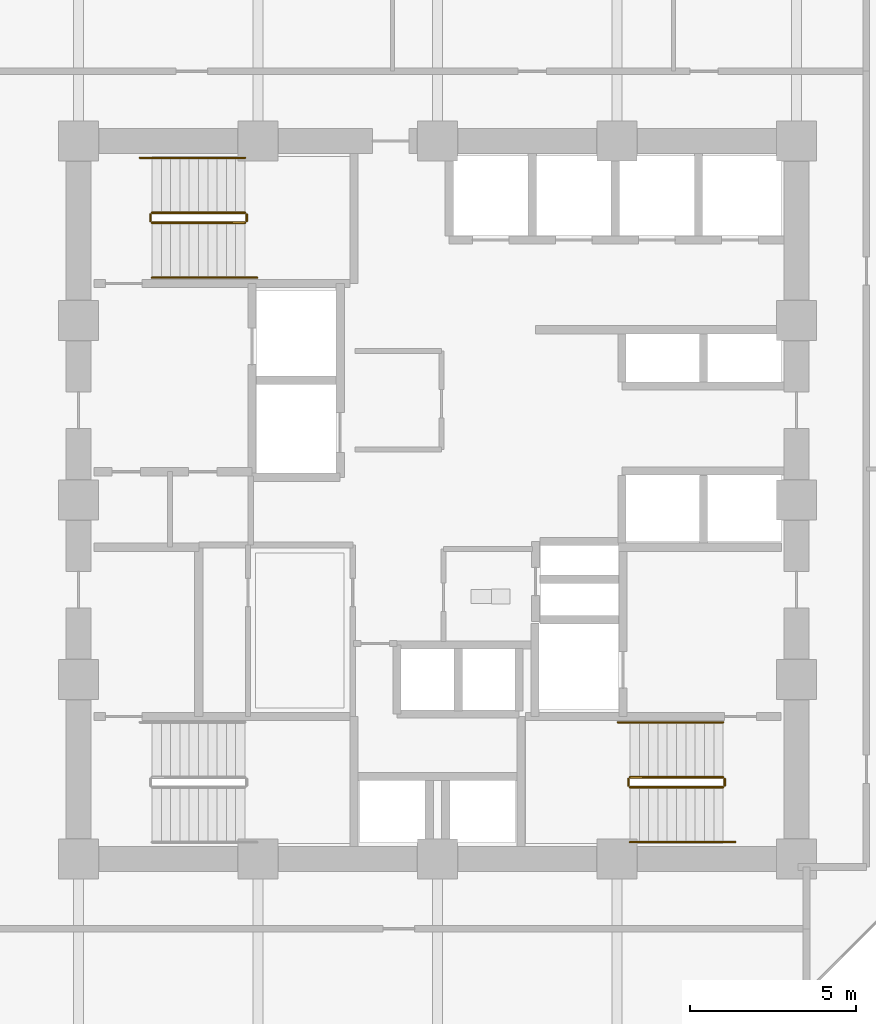
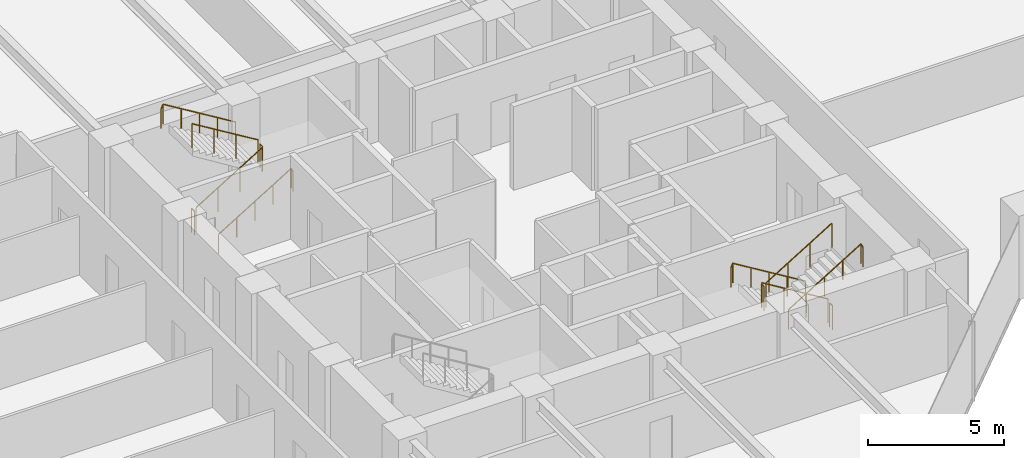
# One storey, part 24 of 25: 12 railings.
"""IFC4 building model written with IfcOpenShell, lengths in metres."""

from ifc_helpers import new_model, si_unit, direction, frame, origin, origin_2d, place, context, subcontext, project, spatial, circle, extrude, material, type_object, element, save


model = new_model("IFC4")

# Units and contexts
model_context = context("Model", 3, precision=1e-05, world=origin(), true_north=direction((0.0, 1.0)))
body_context = subcontext(model_context, "Body", "Model", "MODEL_VIEW")
ifc_project = project(units=[si_unit("LENGTHUNIT", "METRE"), si_unit("AREAUNIT", "SQUARE_METRE"), si_unit("VOLUMEUNIT", "CUBIC_METRE"), si_unit("PLANEANGLEUNIT", "RADIAN"), si_unit("MASSUNIT", "GRAM", prefix="KILO")], contexts=[model_context])

# Site, building, storey
site_placement = place(None, origin())
site = spatial("IfcSite", under=ifc_project, at=site_placement, CompositionType="ELEMENT")
building_placement = place(site_placement, origin())
building = spatial("IfcBuilding", under=site, at=building_placement, Name="Surkhivell Harbour Commons", CompositionType="ELEMENT")
storey_placement = place(building_placement, frame((0.0, 0.0, 37.5)))
storey = spatial("IfcBuildingStorey", under=building, at=storey_placement, Name="L09", CompositionType="ELEMENT", Elevation=37.5)

# Railings
ifc_material_1 = material(Name="Galvanised and painted steel S355 guard rail", Category="steel")
railing_type_1 = type_object("IfcRailingType", Name="RAL-ST-GRD1100", PredefinedType="GUARDRAIL", material=ifc_material_1)
railing_1_placement = place(storey_placement, frame((-8.590087890625, 8.340087890625, 0.17041015625)))
element("IfcRailing", 1, at=railing_1_placement, inside=storey, type_object=railing_type_1, Name="L09 ST1 stair guard 1", PredefinedType="GUARDRAIL", context=body_context, shape_type="SweptSolid", body=[
    extrude(circle(Radius=0.02392578125, at=origin_2d()), frame((0.0, 0.0, 1.076171875), z_axis=(0.854169791009, 0.0, 0.51999420009), x_axis=(0.0, 1.0, 0.0)), (0.0, 0.0, 1.0), 3.278076171875),
    extrude(circle(Radius=0.02099609375, at=origin_2d()), origin(), (0.0, 0.0, 1.0), 1.052001953125),
    extrude(circle(Radius=0.02099609375, at=origin_2d()), frame((0.933349609375, 0.0, 0.568115234375)), (0.0, 0.0, 1.0), 1.052001953125),
    extrude(circle(Radius=0.02099609375, at=origin_2d()), frame((1.86669921875, 0.0, 1.136474609375)), (0.0, 0.0, 1.0), 1.052001953125),
    extrude(circle(Radius=0.02099609375, at=origin_2d()), frame((2.800048828125, 0.0, 1.70458984375)), (0.0, 0.0, 1.0), 1.052001953125),
])
railing_2_placement = place(storey_placement, frame((-5.739990234375, 8.389892578125, 1.875)))
element("IfcRailing", 2, at=railing_2_placement, inside=storey, type_object=railing_type_1, Name="L09 ST1 stair guard 2", PredefinedType="GUARDRAIL", context=body_context, shape_type="SweptSolid", body=[
    extrude(circle(Radius=0.02392578125, at=origin_2d()), frame((0.0, 0.0, 1.076171875), z_axis=(0.0, 1.0, 0.0), x_axis=(-1.0, 0.0, 0.0)), (0.0, 0.0, 1.0), 0.2001953125),
    extrude(circle(Radius=0.02099609375, at=origin_2d()), origin(), (0.0, 0.0, 1.0), 1.052001953125),
    extrude(circle(Radius=0.02099609375, at=origin_2d()), frame((0.0, 0.2001953125, 0.0)), (0.0, 0.0, 1.0), 1.052001953125),
])
railing_3_placement = place(storey_placement, frame((-5.7900390625, 8.639892578125, 2.04541015625)))
element("IfcRailing", 3, at=railing_3_placement, inside=storey, type_object=railing_type_1, Name="L09 ST1 stair guard 3", PredefinedType="GUARDRAIL", context=body_context, shape_type="SweptSolid", body=[
    extrude(circle(Radius=0.02392578125, at=origin_2d()), frame((0.0, 0.0, 1.076171875), z_axis=(-0.854169791009, 0.0, 0.51999420009), x_axis=(0.0, -1.0, 0.0)), (0.0, 0.0, 1.0), 3.278076171875),
    extrude(circle(Radius=0.02099609375, at=origin_2d()), origin(), (0.0, 0.0, 1.0), 1.052001953125),
    extrude(circle(Radius=0.02099609375, at=origin_2d()), frame((-0.933349609375, 0.0, 0.568115234375)), (0.0, 0.0, 1.0), 1.052001953125),
    extrude(circle(Radius=0.02099609375, at=origin_2d()), frame((-1.86669921875, 0.0, 1.136474609375)), (0.0, 0.0, 1.0), 1.052001953125),
    extrude(circle(Radius=0.02099609375, at=origin_2d()), frame((-2.800048828125, 0.0, 1.70458984375)), (0.0, 0.0, 1.0), 1.052001953125),
])
railing_4_placement = place(storey_placement, frame((-8.639892578125, 8.389892578125, 0.0)))
element("IfcRailing", 4, at=railing_4_placement, inside=storey, type_object=railing_type_1, Name="L09 ST1 stair guard 4", PredefinedType="GUARDRAIL", context=body_context, shape_type="SweptSolid", body=[
    extrude(circle(Radius=0.02392578125, at=origin_2d()), frame((0.0, 0.0, 1.076171875), z_axis=(0.0, 1.0, 0.0), x_axis=(-1.0, 0.0, 0.0)), (0.0, 0.0, 1.0), 0.2001953125),
    extrude(circle(Radius=0.02099609375, at=origin_2d()), origin(), (0.0, 0.0, 1.0), 1.052001953125),
    extrude(circle(Radius=0.02099609375, at=origin_2d()), frame((0.0, 0.2001953125, 0.0)), (0.0, 0.0, 1.0), 1.052001953125),
])
railing_5_placement = place(storey_placement, frame((8.590087890625, -8.340087890625, 0.17041015625)))
element("IfcRailing", 5, at=railing_5_placement, inside=storey, type_object=railing_type_1, Name="L09 ST2 stair guard 1", PredefinedType="GUARDRAIL", context=body_context, shape_type="SweptSolid", body=[
    extrude(circle(Radius=0.02392578125, at=origin_2d()), frame((0.0, 0.0, 1.076171875), z_axis=(-0.854169791009, 0.0, 0.51999420009), x_axis=(0.0, -1.0, 0.0)), (0.0, 0.0, 1.0), 3.278076171875),
    extrude(circle(Radius=0.02099609375, at=origin_2d()), origin(), (0.0, 0.0, 1.0), 1.052001953125),
    extrude(circle(Radius=0.02099609375, at=origin_2d()), frame((-0.933349609375, 0.0, 0.568115234375)), (0.0, 0.0, 1.0), 1.052001953125),
    extrude(circle(Radius=0.02099609375, at=origin_2d()), frame((-1.86669921875, 0.0, 1.136474609375)), (0.0, 0.0, 1.0), 1.052001953125),
    extrude(circle(Radius=0.02099609375, at=origin_2d()), frame((-2.800048828125, 0.0, 1.70458984375)), (0.0, 0.0, 1.0), 1.052001953125),
])
railing_6_placement = place(storey_placement, frame((5.739990234375, -8.389892578125, 1.875)))
element("IfcRailing", 6, at=railing_6_placement, inside=storey, type_object=railing_type_1, Name="L09 ST2 stair guard 2", PredefinedType="GUARDRAIL", context=body_context, shape_type="SweptSolid", body=[
    extrude(circle(Radius=0.02392578125, at=origin_2d()), frame((0.0, 0.0, 1.076171875), z_axis=(0.0, -1.0, 0.0), x_axis=(1.0, 0.0, 0.0)), (0.0, 0.0, 1.0), 0.2001953125),
    extrude(circle(Radius=0.02099609375, at=origin_2d()), origin(), (0.0, 0.0, 1.0), 1.052001953125),
    extrude(circle(Radius=0.02099609375, at=origin_2d()), frame((0.0, -0.2001953125, 0.0)), (0.0, 0.0, 1.0), 1.052001953125),
])
railing_7_placement = place(storey_placement, frame((5.7900390625, -8.639892578125, 2.04541015625)))
element("IfcRailing", 7, at=railing_7_placement, inside=storey, type_object=railing_type_1, Name="L09 ST2 stair guard 3", PredefinedType="GUARDRAIL", context=body_context, shape_type="SweptSolid", body=[
    extrude(circle(Radius=0.02392578125, at=origin_2d()), frame((0.0, 0.0, 1.076171875), z_axis=(0.854169791009, 0.0, 0.51999420009), x_axis=(0.0, 1.0, 0.0)), (0.0, 0.0, 1.0), 3.278076171875),
    extrude(circle(Radius=0.02099609375, at=origin_2d()), origin(), (0.0, 0.0, 1.0), 1.052001953125),
    extrude(circle(Radius=0.02099609375, at=origin_2d()), frame((0.933349609375, 0.0, 0.568115234375)), (0.0, 0.0, 1.0), 1.052001953125),
    extrude(circle(Radius=0.02099609375, at=origin_2d()), frame((1.86669921875, 0.0, 1.136474609375)), (0.0, 0.0, 1.0), 1.052001953125),
    extrude(circle(Radius=0.02099609375, at=origin_2d()), frame((2.800048828125, 0.0, 1.70458984375)), (0.0, 0.0, 1.0), 1.052001953125),
])
railing_8_placement = place(storey_placement, frame((8.639892578125, -8.389892578125, 0.0)))
element("IfcRailing", 8, at=railing_8_placement, inside=storey, type_object=railing_type_1, Name="L09 ST2 stair guard 4", PredefinedType="GUARDRAIL", context=body_context, shape_type="SweptSolid", body=[
    extrude(circle(Radius=0.02392578125, at=origin_2d()), frame((0.0, 0.0, 1.076171875), z_axis=(0.0, -1.0, 0.0), x_axis=(1.0, 0.0, 0.0)), (0.0, 0.0, 1.0), 0.2001953125),
    extrude(circle(Radius=0.02099609375, at=origin_2d()), origin(), (0.0, 0.0, 1.0), 1.052001953125),
    extrude(circle(Radius=0.02099609375, at=origin_2d()), frame((0.0, -0.2001953125, 0.0)), (0.0, 0.0, 1.0), 1.052001953125),
])
ifc_material_2 = material(Name="Brushed stainless steel S355 handrail", Category="steel")
railing_type_2 = type_object("IfcRailingType", Name="RAL-ST-HND900", PredefinedType="HANDRAIL", material=ifc_material_2)
railing_9_placement = place(storey_placement, frame((-8.590087890625, 6.68994140625, 0.17041015625)))
element("IfcRailing", 9, at=railing_9_placement, inside=storey, type_object=railing_type_2, Name="L09 ST1 stair handrail 1", PredefinedType="HANDRAIL", context=body_context, shape_type="SweptSolid", body=[
    extrude(circle(Radius=0.02392578125, at=origin_2d()), frame((0.0, 0.0, 0.8759765625), z_axis=(0.854177636135, 0.0, 0.519981313056), x_axis=(0.0, 1.0, 0.0)), (0.0, 0.0, 1.0), 3.60595703125),
    extrude(circle(Radius=0.02392578125, at=origin_2d()), frame((3.080078125, 0.0, 2.7509765625), z_axis=(0.425297416671, 0.0, -0.905053648892), x_axis=(0.0, 1.0, 0.0)), (0.0, 0.0, 1.0), 0.188232421875),
    extrude(circle(Radius=0.02099609375, at=origin_2d()), origin(), (0.0, 0.0, 1.0), 0.851806640625),
    extrude(circle(Radius=0.02099609375, at=origin_2d()), frame((0.77001953125, 0.0, 0.46875)), (0.0, 0.0, 1.0), 0.851806640625),
    extrude(circle(Radius=0.02099609375, at=origin_2d()), frame((1.5400390625, 0.0, 0.9375)), (0.0, 0.0, 1.0), 0.851806640625),
    extrude(circle(Radius=0.02099609375, at=origin_2d()), frame((2.31005859375, 0.0, 1.40625)), (0.0, 0.0, 1.0), 0.851806640625),
    extrude(circle(Radius=0.02099609375, at=origin_2d()), frame((3.080078125, 0.0, 1.875)), (0.0, 0.0, 1.0), 0.851806640625),
    extrude(circle(Radius=0.02099609375, at=origin_2d()), frame((3.16015625, 0.0, 1.70458984375)), (0.0, 0.0, 1.0), 0.851806640625),
])
railing_10_placement = place(storey_placement, frame((-5.7900390625, 10.2900390625, 2.04541015625)))
element("IfcRailing", 10, at=railing_10_placement, inside=storey, type_object=railing_type_2, Name="L09 ST1 stair handrail 2", PredefinedType="HANDRAIL", context=body_context, shape_type="SweptSolid", body=[
    extrude(circle(Radius=0.02392578125, at=origin_2d()), frame((0.0, 0.0, 0.8759765625), z_axis=(-0.854177636135, 0.0, 0.519981313056), x_axis=(0.0, -1.0, 0.0)), (0.0, 0.0, 1.0), 3.60595703125),
    extrude(circle(Radius=0.02392578125, at=origin_2d()), frame((-3.080078125, 0.0, 2.7509765625), z_axis=(-0.424234432967, 0.0, -0.905552398199), x_axis=(0.0, -1.0, 0.0)), (0.0, 0.0, 1.0), 0.188232421875),
    extrude(circle(Radius=0.02099609375, at=origin_2d()), origin(), (0.0, 0.0, 1.0), 0.851806640625),
    extrude(circle(Radius=0.02099609375, at=origin_2d()), frame((-0.77001953125, 0.0, 0.46875)), (0.0, 0.0, 1.0), 0.851806640625),
    extrude(circle(Radius=0.02099609375, at=origin_2d()), frame((-1.5400390625, 0.0, 0.9375)), (0.0, 0.0, 1.0), 0.851806640625),
    extrude(circle(Radius=0.02099609375, at=origin_2d()), frame((-2.31005859375, 0.0, 1.40625)), (0.0, 0.0, 1.0), 0.851806640625),
    extrude(circle(Radius=0.02099609375, at=origin_2d()), frame((-3.080078125, 0.0, 1.875)), (0.0, 0.0, 1.0), 0.851806640625),
    extrude(circle(Radius=0.02099609375, at=origin_2d()), frame((-3.159912109375, 0.0, 1.70458984375)), (0.0, 0.0, 1.0), 0.851806640625),
])
railing_11_placement = place(storey_placement, frame((8.590087890625, -6.68994140625, 0.17041015625)))
element("IfcRailing", 11, at=railing_11_placement, inside=storey, type_object=railing_type_2, Name="L09 ST2 stair handrail 1", PredefinedType="HANDRAIL", context=body_context, shape_type="SweptSolid", body=[
    extrude(circle(Radius=0.02392578125, at=origin_2d()), frame((0.0, 0.0, 0.8759765625), z_axis=(-0.854177636135, 0.0, 0.519981313056), x_axis=(0.0, -1.0, 0.0)), (0.0, 0.0, 1.0), 3.60595703125),
    extrude(circle(Radius=0.02392578125, at=origin_2d()), frame((-3.080078125, 0.0, 2.7509765625), z_axis=(-0.425297416671, 0.0, -0.905053648892), x_axis=(0.0, -1.0, 0.0)), (0.0, 0.0, 1.0), 0.188232421875),
    extrude(circle(Radius=0.02099609375, at=origin_2d()), origin(), (0.0, 0.0, 1.0), 0.851806640625),
    extrude(circle(Radius=0.02099609375, at=origin_2d()), frame((-0.77001953125, 0.0, 0.46875)), (0.0, 0.0, 1.0), 0.851806640625),
    extrude(circle(Radius=0.02099609375, at=origin_2d()), frame((-1.5400390625, 0.0, 0.9375)), (0.0, 0.0, 1.0), 0.851806640625),
    extrude(circle(Radius=0.02099609375, at=origin_2d()), frame((-2.31005859375, 0.0, 1.40625)), (0.0, 0.0, 1.0), 0.851806640625),
    extrude(circle(Radius=0.02099609375, at=origin_2d()), frame((-3.080078125, 0.0, 1.875)), (0.0, 0.0, 1.0), 0.851806640625),
    extrude(circle(Radius=0.02099609375, at=origin_2d()), frame((-3.16015625, 0.0, 1.70458984375)), (0.0, 0.0, 1.0), 0.851806640625),
])
railing_12_placement = place(storey_placement, frame((5.7900390625, -10.2900390625, 2.04541015625)))
element("IfcRailing", 12, at=railing_12_placement, inside=storey, type_object=railing_type_2, Name="L09 ST2 stair handrail 2", PredefinedType="HANDRAIL", context=body_context, shape_type="SweptSolid", body=[
    extrude(circle(Radius=0.02392578125, at=origin_2d()), frame((0.0, 0.0, 0.8759765625), z_axis=(0.854177636135, 0.0, 0.519981313056), x_axis=(0.0, 1.0, 0.0)), (0.0, 0.0, 1.0), 3.60595703125),
    extrude(circle(Radius=0.02392578125, at=origin_2d()), frame((3.080078125, 0.0, 2.7509765625), z_axis=(0.424234432967, 0.0, -0.905552398199), x_axis=(0.0, 1.0, 0.0)), (0.0, 0.0, 1.0), 0.188232421875),
    extrude(circle(Radius=0.02099609375, at=origin_2d()), origin(), (0.0, 0.0, 1.0), 0.851806640625),
    extrude(circle(Radius=0.02099609375, at=origin_2d()), frame((0.77001953125, 0.0, 0.46875)), (0.0, 0.0, 1.0), 0.851806640625),
    extrude(circle(Radius=0.02099609375, at=origin_2d()), frame((1.5400390625, 0.0, 0.9375)), (0.0, 0.0, 1.0), 0.851806640625),
    extrude(circle(Radius=0.02099609375, at=origin_2d()), frame((2.31005859375, 0.0, 1.40625)), (0.0, 0.0, 1.0), 0.851806640625),
    extrude(circle(Radius=0.02099609375, at=origin_2d()), frame((3.080078125, 0.0, 1.875)), (0.0, 0.0, 1.0), 0.851806640625),
    extrude(circle(Radius=0.02099609375, at=origin_2d()), frame((3.159912109375, 0.0, 1.70458984375)), (0.0, 0.0, 1.0), 0.851806640625),
])

save(model, "model.ifc")
